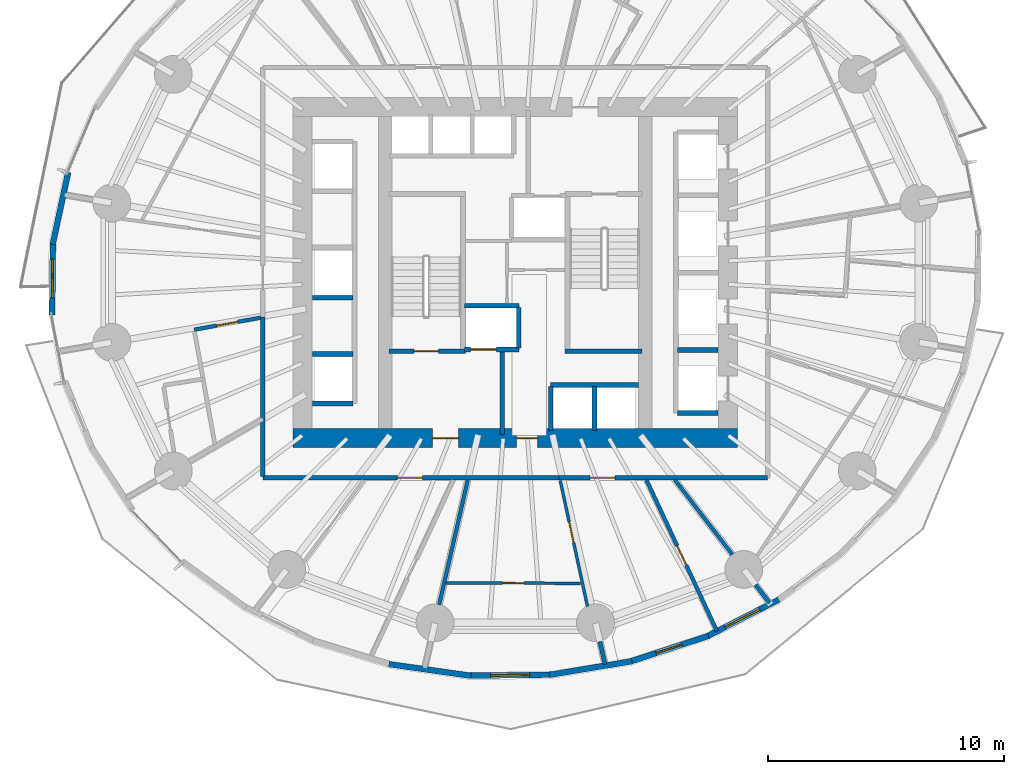
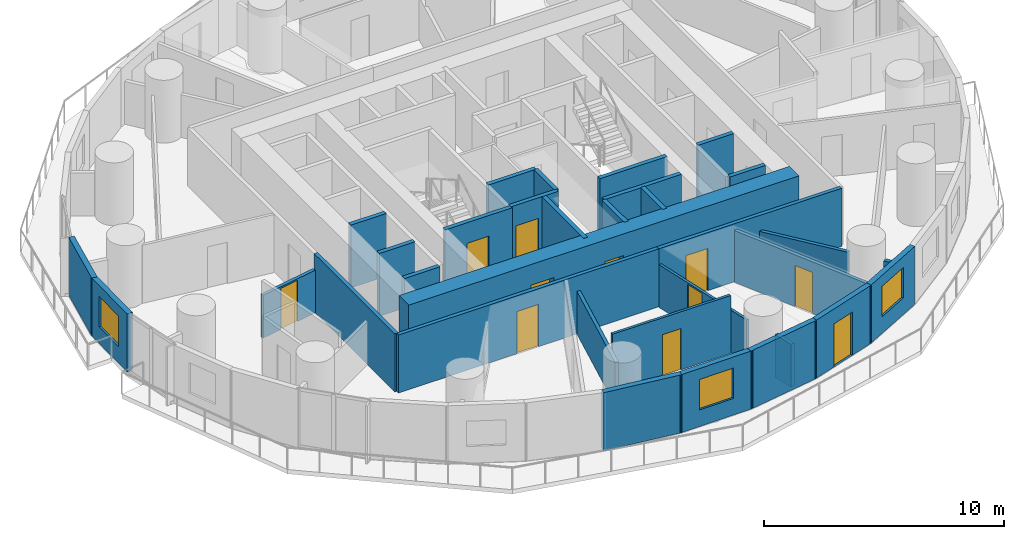
# One storey, part 7 of 14: 33 walls, 11 doors, 3 windows, 14 openings.
"""IFC4 building model written with IfcOpenShell, lengths in metres."""

from ifc_helpers import new_model, si_unit, direction, frame, frame_2d, origin, place, context, subcontext, project, spatial, rectangle, extrude, material, layer, layer_set, type_object, element, fill, save


model = new_model("IFC4")

# Units and contexts
model_context = context("Model", 3, precision=1e-05, world=origin(), true_north=direction((0.0, 1.0)))
body_context = subcontext(model_context, "Body", "Model", "MODEL_VIEW")
ifc_project = project(units=[si_unit("LENGTHUNIT", "METRE"), si_unit("AREAUNIT", "SQUARE_METRE"), si_unit("VOLUMEUNIT", "CUBIC_METRE"), si_unit("PLANEANGLEUNIT", "RADIAN"), si_unit("MASSUNIT", "GRAM", prefix="KILO")], contexts=[model_context])

# Site, building, storey
site_placement = place(None, origin())
site = spatial("IfcSite", under=ifc_project, at=site_placement, CompositionType="ELEMENT")
building_placement = place(site_placement, origin())
building = spatial("IfcBuilding", under=site, at=building_placement, Name="Veldorim Arch Residences", CompositionType="ELEMENT")
storey_placement = place(building_placement, frame((0.0, 0.0, 28.0)))
storey = spatial("IfcBuildingStorey", under=building, at=storey_placement, Name="L07", CompositionType="ELEMENT", Elevation=28.0)

# Wall, opening, door
ifc_material_1 = material(Name="Acoustic Gypsum Board", Category="gypsum")
ifc_layer_1 = layer(ifc_material_1, 0.125, Name="Acoustic Stud Room Partition Wall 125")
ifc_layer_set_1 = layer_set([ifc_layer_1], Name="Acoustic Gypsum Board")
wall_type_1 = type_object("IfcWallType", Name="Acoustic Stud Room Partition Wall 125", PredefinedType="PARTITIONING", material=ifc_layer_set_1)
wall_1_placement = place(storey_placement, frame((35.05419921875, 9.879150390625, 0.0), z_axis=(0.0, 0.0, 1.0), x_axis=(-0.211435796324, 0.977391888667, 0.0)))
wall_1 = element("IfcWall", 1, at=wall_1_placement, inside=storey, type_object=wall_type_1, Name="L07 interior wall WL-RES-L07-013", PredefinedType="PARTITIONING", context=body_context, shape_type="SweptSolid", body=[
    extrude(rectangle(XDim=5.446533203125, YDim=0.125, at=frame_2d((2.72314453125, 0.0))), origin(), (0.0, 0.0, 1.0), 2.17822265625),
])
opening_1_placement = place(wall_1_placement, frame((2.76171875, 0.0, 0.0)))
opening_1 = element("IfcOpeningElement", 2, at=opening_1_placement, cuts=wall_1, Name="Opening DR-INT", PredefinedType="OPENING", context=body_context, shape_type="SweptSolid", body=[
    extrude(rectangle(XDim=0.89990234375, YDim=2.10009765625, at=frame_2d((0.449951171875, 1.050048828125))), frame((0.0, 0.072509765625, 0.0), z_axis=(0.0, -1.0, 0.0), x_axis=(1.0, 0.0, 0.0)), (0.0, 0.0, 1.0), 0.14501953125),
])
ifc_material_2 = material(Name="Engineered Timber", Category="wood")
door_type_1 = type_object("IfcDoorType", Name="Apartment Internal Room Timber Door 900x2100", OperationType="SINGLE_SWING_LEFT", PredefinedType="DOOR", material=ifc_material_2)
door_1_placement = place(opening_1_placement, origin())
door_1 = element("IfcDoor", 3, at=door_1_placement, inside=storey, type_object=door_type_1, Name="L07 interior door DR-RES-L07-006", OperationType="SINGLE_SWING_RIGHT", OverallHeight=2.10009765625, OverallWidth=0.89990234375, PredefinedType="DOOR", context=body_context, shape_type="SweptSolid", body=[
    extrude(rectangle(XDim=0.89990234375, YDim=2.10009765625, at=frame_2d((0.449951171875, 1.050048828125))), frame((0.0, 0.02490234375, 0.0), z_axis=(0.0, -1.0, 0.0), x_axis=(1.0, 0.0, 0.0)), (0.0, 0.0, 1.0), 0.050048828125),
])
fill(opening_1, door_1)

wall_2_placement = place(storey_placement, frame((34.763427734375, 10.853515625, 0.0), z_axis=(0.0, 0.0, 1.0), x_axis=(-0.999989854874, 0.004504458806, 0.0)))
wall_2 = element("IfcWall", 4, at=wall_2_placement, inside=storey, type_object=wall_type_1, Name="L07 interior wall WL-RES-L07-015", PredefinedType="PARTITIONING", context=body_context, shape_type="SweptSolid", body=[
    extrude(rectangle(XDim=5.69091796875, YDim=0.125, at=frame_2d((2.845458984375, 0.0))), origin(), (0.0, 0.0, 1.0), 2.955078125),
])
opening_2_placement = place(wall_2_placement, frame((2.3955078125, 0.0, 0.0)))
opening_2 = element("IfcOpeningElement", 5, at=opening_2_placement, cuts=wall_2, Name="Opening DR-INT", PredefinedType="OPENING", context=body_context, shape_type="SweptSolid", body=[
    extrude(rectangle(XDim=0.89990234375, YDim=2.10009765625, at=frame_2d((0.449951171875, 1.050048828125))), frame((0.0, 0.072509765625, 0.0), z_axis=(0.0, -1.0, 0.0), x_axis=(1.0, 0.0, 0.0)), (0.0, 0.0, 1.0), 0.14501953125),
])
door_2_placement = place(opening_2_placement, origin())
door_2 = element("IfcDoor", 6, at=door_2_placement, inside=storey, type_object=door_type_1, Name="L07 interior door DR-RES-L07-007", OperationType="SINGLE_SWING_LEFT", OverallHeight=2.10009765625, OverallWidth=0.89990234375, PredefinedType="DOOR", context=body_context, shape_type="SweptSolid", body=[
    extrude(rectangle(XDim=0.89990234375, YDim=2.10009765625, at=frame_2d((0.449951171875, 1.050048828125))), frame((0.0, 0.02490234375, 0.0), z_axis=(0.0, -1.0, 0.0), x_axis=(1.0, 0.0, 0.0)), (0.0, 0.0, 1.0), 0.050048828125),
])
fill(opening_2, door_2)

# Walls
ifc_material_3 = material(Name="Lightweight Masonry Block & Gypsum", Category="masonry")
ifc_layer_2 = layer(ifc_material_3, 0.179931640625, Name="Compartment & Corridor Fire-Rated Party Wall 180")
ifc_layer_set_2 = layer_set([ifc_layer_2], Name="Lightweight Masonry Block & Gypsum")
wall_type_2 = type_object("IfcWallType", Name="Compartment & Corridor Fire-Rated Party Wall 180", PredefinedType="PARTITIONING", material=ifc_layer_set_2)
wall_3_placement = place(storey_placement, frame((35.577880859375, 8.390869140625, 0.0), z_axis=(0.0, 0.0, 1.0), x_axis=(0.223200215289, -0.974772621638, 0.0)))
element("IfcWall", 7, at=wall_3_placement, inside=storey, type_object=wall_type_2, Name="L07 interior wall WL-PIER-L07-13", PredefinedType="PARTITIONING", context=body_context, shape_type="SweptSolid", body=[
    extrude(rectangle(XDim=0.98876953125, YDim=0.179931640625, at=frame_2d((0.494384765625, 0.0))), origin(), (0.0, 0.0, 1.0), 2.17822265625),
])
wall_4_placement = place(storey_placement, frame((42.167236328125, 10.795166015625, 0.0), z_axis=(0.0, 0.0, 1.0), x_axis=(0.609953343804, -0.792437327732, 0.0)))
element("IfcWall", 8, at=wall_4_placement, inside=storey, type_object=wall_type_2, Name="L07 interior wall WL-PIER-L07-14", PredefinedType="PARTITIONING", context=body_context, shape_type="SweptSolid", body=[
    extrude(rectangle(XDim=0.97265625, YDim=0.179931640625, at=frame_2d((0.486328125, 0.0))), origin(), (0.0, 0.0, 1.0), 2.17822265625),
])

# Wall, opening, door
wall_5_placement = place(storey_placement, frame((33.897705078125, 15.320068359375, 0.0), z_axis=(0.0, 0.0, 1.0), x_axis=(-1.0, 0.0, 0.0)))
wall_5 = element("IfcWall", 9, at=wall_5_placement, inside=storey, type_object=wall_type_2, Name="L07 interior wall WL-RES-L07-001", PredefinedType="PARTITIONING", context=body_context, shape_type="SweptSolid", body=[
    extrude(rectangle(XDim=12.57763671875, YDim=0.179931640625, at=frame_2d((6.288818359375, 0.0))), origin(), (0.0, 0.0, 1.0), 2.955078125),
])
opening_3_placement = place(wall_5_placement, frame((5.83349609375, 0.0, 0.0)))
opening_3 = element("IfcOpeningElement", 10, at=opening_3_placement, cuts=wall_5, Name="Opening DR-FLT", PredefinedType="OPENING", context=body_context, shape_type="SweptSolid", body=[
    extrude(rectangle(XDim=1.050048828125, YDim=2.14990234375, at=frame_2d((0.52490234375, 1.074951171875))), frame((0.0, 0.099853515625, 0.0), z_axis=(0.0, -1.0, 0.0), x_axis=(1.0, 0.0, 0.0)), (0.0, 0.0, 1.0), 0.199951171875),
])
ifc_material_4 = material(Name="Fire-Rated Timber", Category="wood")
door_type_2 = type_object("IfcDoorType", Name="Apartment Entrance Solid-Core Fire Door 1050x2150", OperationType="SINGLE_SWING_LEFT", PredefinedType="DOOR", material=ifc_material_4)
door_3_placement = place(opening_3_placement, origin())
door_3 = element("IfcDoor", 11, at=door_3_placement, inside=storey, type_object=door_type_2, Name="L07 interior door DR-RES-L07-001", OperationType="SINGLE_SWING_LEFT", OverallHeight=2.14990234375, OverallWidth=1.050048828125, PredefinedType="DOOR", context=body_context, shape_type="SweptSolid", body=[
    extrude(rectangle(XDim=1.050048828125, YDim=2.14990234375, at=frame_2d((0.52490234375, 1.074951171875))), frame((0.0, 0.02490234375, 0.0), z_axis=(0.0, -1.0, 0.0), x_axis=(1.0, 0.0, 0.0)), (0.0, 0.0, 1.0), 0.050048828125),
])
fill(opening_3, door_3)

# Wall
wall_6_placement = place(storey_placement, frame((21.320068359375, 15.3798828125, 0.0), z_axis=(0.0, 0.0, 1.0), x_axis=(0.0, 1.0, 0.0)))
element("IfcWall", 12, at=wall_6_placement, inside=storey, type_object=wall_type_2, Name="L07 interior wall WL-RES-L07-002", PredefinedType="PARTITIONING", context=body_context, shape_type="SweptSolid", body=[
    extrude(rectangle(XDim=6.74853515625, YDim=0.179931640625, at=frame_2d((3.374267578125, 0.0))), origin(), (0.0, 0.0, 1.0), 2.955078125),
])

# Wall, opening, door
wall_7_placement = place(storey_placement, frame((42.679931640625, 15.320068359375, 0.0), z_axis=(0.0, 0.0, 1.0), x_axis=(-1.0, 0.0, 0.0)))
wall_7 = element("IfcWall", 13, at=wall_7_placement, inside=storey, type_object=wall_type_2, Name="L07 interior wall WL-RES-L07-003", PredefinedType="PARTITIONING", context=body_context, shape_type="SweptSolid", body=[
    extrude(rectangle(XDim=8.822509765625, YDim=0.179931640625, at=frame_2d((4.4111328125, 0.0))), origin(), (0.0, 0.0, 1.0), 2.955078125),
])
opening_4_placement = place(wall_7_placement, frame((6.461669921875, 0.0, 0.0)))
opening_4 = element("IfcOpeningElement", 14, at=opening_4_placement, cuts=wall_7, Name="Opening DR-FLT", PredefinedType="OPENING", context=body_context, shape_type="SweptSolid", body=[
    extrude(rectangle(XDim=1.050048828125, YDim=2.14990234375, at=frame_2d((0.52490234375, 1.074951171875))), frame((0.0, 0.099853515625, 0.0), z_axis=(0.0, -1.0, 0.0), x_axis=(1.0, 0.0, 0.0)), (0.0, 0.0, 1.0), 0.199951171875),
])
door_4_placement = place(opening_4_placement, origin())
door_4 = element("IfcDoor", 15, at=door_4_placement, inside=storey, type_object=door_type_2, Name="L07 interior door DR-RES-L07-004", OperationType="SINGLE_SWING_RIGHT", OverallHeight=2.14990234375, OverallWidth=1.050048828125, PredefinedType="DOOR", context=body_context, shape_type="SweptSolid", body=[
    extrude(rectangle(XDim=1.050048828125, YDim=2.14990234375, at=frame_2d((0.52490234375, 1.074951171875))), frame((0.0, 0.02490234375, 0.0), z_axis=(0.0, -1.0, 0.0), x_axis=(1.0, 0.0, 0.0)), (0.0, 0.0, 1.0), 0.050048828125),
])
fill(opening_4, door_4)

ifc_material_5 = material(Name="Concrete C50/60", Category="concrete")
ifc_layer_3 = layer(ifc_material_5, 0.199951171875, Name="Core Stair & Lift Shaft Enclosure Wall 200")
ifc_layer_set_3 = layer_set([ifc_layer_3], Name="Concrete C50/60")
wall_type_3 = type_object("IfcWallType", Name="Core Stair & Lift Shaft Enclosure Wall 200", PredefinedType="SHEAR", material=ifc_layer_set_3)
wall_8_placement = place(storey_placement, frame((26.64990234375, 20.669921875, 0.0), z_axis=(0.0, 0.0, 1.0), x_axis=(1.0, 0.0, 0.0)))
wall_8 = element("IfcWall", 16, at=wall_8_placement, inside=storey, type_object=wall_type_3, Name="L07 shaft wall WL-SHF-L07-ST1-S", PredefinedType="SHEAR", context=body_context, shape_type="SweptSolid", body=[
    extrude(rectangle(XDim=3.239990234375, YDim=0.199951171875, at=frame_2d((1.6201171875, 0.0))), origin(), (0.0, 0.0, 1.0), 3.199951171875),
])
opening_5_placement = place(wall_8_placement, frame((1.054931640625, 0.0, 0.0)))
opening_5 = element("IfcOpeningElement", 17, at=opening_5_placement, cuts=wall_8, Name="Opening DR-ST", PredefinedType="OPENING", context=body_context, shape_type="SweptSolid", body=[
    extrude(rectangle(XDim=1.050048828125, YDim=2.14990234375, at=frame_2d((0.52490234375, 1.074951171875))), frame((0.0, 0.10986328125, 0.0), z_axis=(0.0, -1.0, 0.0), x_axis=(1.0, 0.0, 0.0)), (0.0, 0.0, 1.0), 0.219970703125),
])
ifc_material_6 = material(Name="Fire-Rated Steel", Category="steel")
door_type_3 = type_object("IfcDoorType", Name="Exit Staircase Self-Closing Fire Door 1050x2150", OperationType="SINGLE_SWING_LEFT", PredefinedType="DOOR", material=ifc_material_6)
door_5_placement = place(opening_5_placement, origin())
door_5 = element("IfcDoor", 18, at=door_5_placement, inside=storey, type_object=door_type_3, Name="L07 interior door DR-L07-ST1", OperationType="SINGLE_SWING_LEFT", OverallHeight=2.14990234375, OverallWidth=1.050048828125, PredefinedType="DOOR", context=body_context, shape_type="SweptSolid", body=[
    extrude(rectangle(XDim=1.050048828125, YDim=2.14990234375, at=frame_2d((0.52490234375, 1.074951171875))), frame((0.0, 0.02490234375, 0.0), z_axis=(0.0, -1.0, 0.0), x_axis=(1.0, 0.0, 0.0)), (0.0, 0.0, 1.0), 0.050048828125),
])
fill(opening_5, door_5)

# Walls
wall_9_placement = place(storey_placement, frame((34.110107421875, 20.669921875, 0.0), z_axis=(0.0, 0.0, 1.0), x_axis=(1.0, 0.0, 0.0)))
element("IfcWall", 19, at=wall_9_placement, inside=storey, type_object=wall_type_3, Name="L07 shaft wall WL-SHF-L07-ST2-S", PredefinedType="SHEAR", context=body_context, shape_type="SweptSolid", body=[
    extrude(rectangle(XDim=3.239990234375, YDim=0.199951171875, at=frame_2d((1.6201171875, 0.0))), origin(), (0.0, 0.0, 1.0), 3.199951171875),
])
wall_10_placement = place(storey_placement, frame((31.449951171875, 17.14990234375, 0.0), z_axis=(0.0, 0.0, 1.0), x_axis=(0.0, 1.0, 0.0)))
element("IfcWall", 20, at=wall_10_placement, inside=storey, type_object=wall_type_3, Name="L07 shaft wall WL-FFL1-L07-E", PredefinedType="SHEAR", context=body_context, shape_type="SweptSolid", body=[
    extrude(rectangle(XDim=3.5, YDim=0.199951171875, at=frame_2d((1.75, 0.0))), origin(), (0.0, 0.0, 1.0), 3.199951171875),
])

# Wall, opening, door
wall_11_placement = place(storey_placement, frame((29.85009765625, 20.75, 0.0), z_axis=(0.0, 0.0, 1.0), x_axis=(1.0, 0.0, 0.0)))
wall_11 = element("IfcWall", 21, at=wall_11_placement, inside=storey, type_object=wall_type_3, Name="L07 shaft wall WL-FL01-L07-S", PredefinedType="SHEAR", context=body_context, shape_type="SweptSolid", body=[
    extrude(rectangle(XDim=2.2998046875, YDim=0.199951171875, at=frame_2d((1.14990234375, 0.0))), origin(), (0.0, 0.0, 1.0), 3.199951171875),
])
opening_6_placement = place(wall_11_placement, frame((0.25, 0.0, 0.0)))
opening_6 = element("IfcOpeningElement", 22, at=opening_6_placement, cuts=wall_11, Name="Opening LD-FF", PredefinedType="OPENING", context=body_context, shape_type="SweptSolid", body=[
    extrude(rectangle(XDim=1.10009765625, YDim=2.14990234375, at=frame_2d((0.550048828125, 1.074951171875))), frame((0.0, 0.10986328125, 0.0), z_axis=(0.0, -1.0, 0.0), x_axis=(1.0, 0.0, 0.0)), (0.0, 0.0, 1.0), 0.219970703125),
])
ifc_material_7 = material(Name="Stainless Steel", Category="steel")
door_type_4 = type_object("IfcDoorType", Name="Firefighting Lift Bi-Parting Sliding Landing Door 1100x2150", OperationType="DOUBLE_DOOR_SLIDING", PredefinedType="DOOR", material=ifc_material_7)
door_6_placement = place(opening_6_placement, origin())
door_6 = element("IfcDoor", 23, at=door_6_placement, inside=storey, type_object=door_type_4, Name="L07 lift landing door LD-L07-FL01", OperationType="DOUBLE_DOOR_SLIDING", OverallHeight=2.14990234375, OverallWidth=1.10009765625, PredefinedType="DOOR", context=body_context, shape_type="SweptSolid", body=[
    extrude(rectangle(XDim=1.10009765625, YDim=2.14990234375, at=frame_2d((0.550048828125, 1.074951171875))), frame((0.0, 0.02490234375, 0.0), z_axis=(0.0, -1.0, 0.0), x_axis=(1.0, 0.0, 0.0)), (0.0, 0.0, 1.0), 0.050048828125),
])
fill(opening_6, door_6)

# Walls
wall_12_placement = place(storey_placement, frame((29.85009765625, 22.60009765625, 0.0), z_axis=(0.0, 0.0, 1.0), x_axis=(1.0, 0.0, 0.0)))
element("IfcWall", 24, at=wall_12_placement, inside=storey, type_object=wall_type_3, Name="L07 shaft wall WL-FL01-L07-N", PredefinedType="SHEAR", context=body_context, shape_type="SweptSolid", body=[
    extrude(rectangle(XDim=2.2998046875, YDim=0.199951171875, at=frame_2d((1.14990234375, 0.0))), origin(), (0.0, 0.0, 1.0), 3.199951171875),
])
for number, where, z_axis, x_axis, name in (
    (25, (32.14990234375, 20.820068359375, 0.0), (0.0, 0.0, 1.0), (0.0, 1.0, 0.0), "L07 shaft wall WL-FL01-L07-E"),
    (26, (38.8701171875, 18.06005859375, 0.0), (0.0, 0.0, 1.0), (1.0, 0.0, 0.0), "L07 shaft wall WL-B1-L07-S"),
    (27, (38.8701171875, 20.72509765625, 0.0), (0.0, 0.0, 1.0), (1.0, 0.0, 0.0), "L07 shaft wall WL-B1-L07-D1"),
    (28, (23.419921875, 18.4599609375, 0.0), (0.0, 0.0, 1.0), (1.0, 0.0, 0.0), "L07 shaft wall WL-B2-L07-S"),
    (29, (23.419921875, 20.56005859375, 0.0), (0.0, 0.0, 1.0), (1.0, 0.0, 0.0), "L07 shaft wall WL-B2-L07-D1A"),
    (30, (23.419921875, 22.93994140625, 0.0), (0.0, 0.0, 1.0), (1.0, 0.0, 0.0), "L07 shaft wall WL-B2-L07-D1B"),
):
    element("IfcWall", number, at=place(storey_placement, frame(where, z_axis=z_axis, x_axis=x_axis)), inside=storey, type_object=wall_type_3, Name=name, PredefinedType="SHEAR", context=body_context, shape_type="SweptSolid", body=[
        extrude(rectangle(XDim=1.7099609375, YDim=0.199951171875, at=frame_2d((0.85498046875, 0.0))), origin(), (0.0, 0.0, 1.0), 3.199951171875),
    ])
wall_13_placement = place(storey_placement, frame((33.5, 19.25, 0.0), z_axis=(0.0, 0.0, 1.0), x_axis=(1.0, 0.0, 0.0)))
element("IfcWall", 31, at=wall_13_placement, inside=storey, type_object=wall_type_3, Name="L07 shaft wall WL-OL-L07-N", PredefinedType="SHEAR", context=body_context, shape_type="SweptSolid", body=[
    extrude(rectangle(XDim=3.719970703125, YDim=0.199951171875, at=frame_2d((1.85986328125, 0.0))), origin(), (0.0, 0.0, 1.0), 3.199951171875),
])
for number, where, z_axis, x_axis, name in (
    (32, (33.5, 17.320068359375, 0.0), (0.0, 0.0, 1.0), (0.0, 1.0, 0.0), "L07 shaft wall WL-OL-L07-W"),
    (33, (35.35009765625, 17.320068359375, 0.0), (0.0, 0.0, 1.0), (0.0, 1.0, 0.0), "L07 shaft wall WL-OL-L07-D1"),
):
    element("IfcWall", number, at=place(storey_placement, frame(where, z_axis=z_axis, x_axis=x_axis)), inside=storey, type_object=wall_type_3, Name=name, PredefinedType="SHEAR", context=body_context, shape_type="SweptSolid", body=[
        extrude(rectangle(XDim=1.85986328125, YDim=0.199951171875, at=frame_2d((0.929931640625, 0.0))), origin(), (0.0, 0.0, 1.0), 3.199951171875),
    ])

# Wall, openings, doors
ifc_material_8 = material(Name="Concrete C60/75", Category="concrete")
ifc_layer_4 = layer(ifc_material_8, 0.800048828125, Name="Lower Central Core Shear Wall 800")
ifc_layer_set_4 = layer_set([ifc_layer_4], Name="Concrete C60/75")
wall_type_4 = type_object("IfcWallType", Name="Lower Central Core Shear Wall 800", PredefinedType="SHEAR", material=ifc_layer_set_4)
wall_14_placement = place(storey_placement, frame((22.60009765625, 17.0, 0.0), z_axis=(0.0, 0.0, 1.0), x_axis=(1.0, 0.0, 0.0)))
wall_14 = element("IfcWall", 34, at=wall_14_placement, inside=storey, type_object=wall_type_4, Name="L07 central core south shear wall", PredefinedType="SHEAR", context=body_context, shape_type="SweptSolid", body=[
    extrude(rectangle(XDim=18.7998046875, YDim=0.800048828125, at=frame_2d((9.39990234375, 0.0))), origin(), (0.0, 0.0, 1.0), 3.199951171875),
])
opening_7_placement = place(wall_14_placement, frame((5.89990234375, 0.0, 0.0)))
opening_7 = element("IfcOpeningElement", 35, at=opening_7_placement, cuts=wall_14, Name="Opening DR-FFL", PredefinedType="OPENING", context=body_context, shape_type="SweptSolid", body=[
    extrude(rectangle(XDim=1.10009765625, YDim=2.14990234375, at=frame_2d((0.550048828125, 1.074951171875))), frame((0.0, 0.409912109375, 0.0), z_axis=(0.0, -1.0, 0.0), x_axis=(1.0, 0.0, 0.0)), (0.0, 0.0, 1.0), 0.820068359375),
])
opening_8_placement = place(wall_14_placement, frame((9.449951171875, 0.0, 0.0)))
opening_8 = element("IfcOpeningElement", 36, at=opening_8_placement, cuts=wall_14, Name="Opening DR-SVC", PredefinedType="OPENING", context=body_context, shape_type="SweptSolid", body=[
    extrude(rectangle(XDim=0.89990234375, YDim=2.10009765625, at=frame_2d((0.449951171875, 1.050048828125))), frame((0.0, 0.409912109375, 0.0), z_axis=(0.0, -1.0, 0.0), x_axis=(1.0, 0.0, 0.0)), (0.0, 0.0, 1.0), 0.820068359375),
])
ifc_material_9 = material(Name="Fire-Rated Steel & Vision Glass", Category="steel")
door_type_5 = type_object("IfcDoorType", Name="Firefighting Lobby Smoke-Stop Fire Door 1100x2150", OperationType="SINGLE_SWING_LEFT", PredefinedType="DOOR", material=ifc_material_9)
door_7_placement = place(opening_7_placement, origin())
door_7 = element("IfcDoor", 37, at=door_7_placement, inside=storey, type_object=door_type_5, Name="L07 interior door DR-L07-FFL1", OperationType="SINGLE_SWING_RIGHT", OverallHeight=2.14990234375, OverallWidth=1.10009765625, PredefinedType="DOOR", context=body_context, shape_type="SweptSolid", body=[
    extrude(rectangle(XDim=1.10009765625, YDim=2.14990234375, at=frame_2d((0.550048828125, 1.074951171875))), frame((0.0, 0.02490234375, 0.0), z_axis=(0.0, -1.0, 0.0), x_axis=(1.0, 0.0, 0.0)), (0.0, 0.0, 1.0), 0.050048828125),
])
fill(opening_7, door_7)
ifc_material_10 = material(Name="Fire-Rated Steel", Category="steel")
door_type_6 = type_object("IfcDoorType", Name="Riser, Shelter & Plant Room Rated Steel Door 900x2100", OperationType="SINGLE_SWING_LEFT", PredefinedType="DOOR", material=ifc_material_10)
door_8_placement = place(opening_8_placement, origin())
door_8 = element("IfcDoor", 38, at=door_8_placement, inside=storey, type_object=door_type_6, Name="L07 interior door DR-L07-COR-ANC", OperationType="SINGLE_SWING_LEFT", OverallHeight=2.10009765625, OverallWidth=0.89990234375, PredefinedType="DOOR", context=body_context, shape_type="SweptSolid", body=[
    extrude(rectangle(XDim=0.89990234375, YDim=2.10009765625, at=frame_2d((0.449951171875, 1.050048828125))), frame((0.0, 0.02490234375, 0.0), z_axis=(0.0, -1.0, 0.0), x_axis=(1.0, 0.0, 0.0)), (0.0, 0.0, 1.0), 0.050048828125),
])
fill(opening_8, door_8)

# Wall
ifc_material_11 = material(Name="Precast concrete C40/50", Category="concrete")
ifc_layer_5 = layer(ifc_material_11, 0.25, Name="Tower Terracotta Spandrel & Pier Wall 250")
ifc_layer_set_5 = layer_set([ifc_layer_5], Name="Precast concrete C40/50")
wall_type_5 = type_object("IfcWallType", Name="Tower Terracotta Spandrel & Pier Wall 250", PredefinedType="SOLIDWALL", material=ifc_layer_set_5)
wall_15_placement = place(storey_placement, frame((12.426513671875, 25.19189453125, 0.0), z_axis=(0.0, 0.0, 1.0), x_axis=(0.209668000253, 0.977772637002, 0.0)))
element("IfcWall", 39, at=wall_15_placement, inside=storey, type_object=wall_type_5, Name="L07 terracotta facade wall 17", PredefinedType="SOLIDWALL", context=body_context, shape_type="SweptSolid", body=[
    extrude(rectangle(XDim=3.12060546875, YDim=0.25, at=frame_2d((1.560302734375, 0.0))), origin(), (0.0, 0.0, 1.0), 2.9599609375),
])

# Wall, opening, window
wall_16_placement = place(storey_placement, frame((12.40087890625, 22.214111328125, 0.0), z_axis=(0.0, 0.0, 1.0), x_axis=(0.012397373015, 0.999923149618, 0.0)))
wall_16 = element("IfcWall", 40, at=wall_16_placement, inside=storey, type_object=wall_type_5, Name="L07 terracotta facade wall 18", PredefinedType="SOLIDWALL", context=body_context, shape_type="SweptSolid", body=[
    extrude(rectangle(XDim=3.091796875, YDim=0.25, at=frame_2d((1.5458984375, 0.0))), origin(), (0.0, 0.0, 1.0), 2.9599609375),
])
opening_9_placement = place(wall_16_placement, frame((0.720947265625, 0.0, 0.85009765625)))
opening_9 = element("IfcOpeningElement", 41, at=opening_9_placement, cuts=wall_16, Name="Opening WN-03", PredefinedType="OPENING", context=body_context, shape_type="SweptSolid", body=[
    extrude(rectangle(XDim=1.64990234375, YDim=1.550048828125, at=frame_2d((0.824951171875, 0.77490234375))), frame((0.0, 0.135009765625, 0.0), z_axis=(0.0, -1.0, 0.0), x_axis=(1.0, 0.0, 0.0)), (0.0, 0.0, 1.0), 0.27001953125),
])
ifc_material_12 = material(Name="Laminated Low-E Glass", Category="glass")
window_type = type_object("IfcWindowType", Name="Residential Wide Window 1650x1550", PartitioningType="SINGLE_PANEL", PredefinedType="WINDOW", material=ifc_material_12)
window_1_placement = place(opening_9_placement, origin())
window_1 = element("IfcWindow", 42, at=window_1_placement, inside=storey, type_object=window_type, Name="L07 solar-control facade window 18", OverallHeight=1.550048828125, OverallWidth=1.64990234375, PartitioningType="SINGLE_PANEL", PredefinedType="WINDOW", context=body_context, shape_type="SweptSolid", body=[
    extrude(rectangle(XDim=1.64990234375, YDim=1.550048828125, at=frame_2d((0.824951171875, 0.77490234375))), frame((0.0, 0.030029296875, 0.0), z_axis=(0.0, -1.0, 0.0), x_axis=(1.0, 0.0, 0.0)), (0.0, 0.0, 1.0), 0.06005859375),
])
fill(opening_9, window_1)

# Wall
wall_17_placement = place(storey_placement, frame((30.125244140625, 6.942138671875, 0.0), z_axis=(0.0, 0.0, 1.0), x_axis=(-0.990105954495, 0.140321769067, 0.0)))
element("IfcWall", 43, at=wall_17_placement, inside=storey, type_object=wall_type_5, Name="L07 terracotta facade wall 26", PredefinedType="SOLIDWALL", context=body_context, shape_type="SweptSolid", body=[
    extrude(rectangle(XDim=3.5126953125, YDim=0.25, at=frame_2d((1.75634765625, 0.0))), origin(), (0.0, 0.0, 1.0), 2.9599609375),
])

# Wall, opening, window
wall_18_placement = place(storey_placement, frame((33.554443359375, 6.991943359375, 0.0), z_axis=(0.0, 0.0, 1.0), x_axis=(-0.999927087517, -0.012075580727, 0.0)))
wall_18 = element("IfcWall", 44, at=wall_18_placement, inside=storey, type_object=wall_type_5, Name="L07 terracotta facade wall 27", PredefinedType="SOLIDWALL", context=body_context, shape_type="SweptSolid", body=[
    extrude(rectangle(XDim=3.5380859375, YDim=0.25, at=frame_2d((1.76904296875, 0.0))), origin(), (0.0, 0.0, 1.0), 2.9599609375),
])
opening_10_placement = place(wall_18_placement, frame((0.944091796875, 0.0, 0.85009765625)))
opening_10 = element("IfcOpeningElement", 45, at=opening_10_placement, cuts=wall_18, Name="Opening WN-03", PredefinedType="OPENING", context=body_context, shape_type="SweptSolid", body=[
    extrude(rectangle(XDim=1.64990234375, YDim=1.550048828125, at=frame_2d((0.824951171875, 0.77490234375))), frame((0.0, 0.135009765625, 0.0), z_axis=(0.0, -1.0, 0.0), x_axis=(1.0, 0.0, 0.0)), (0.0, 0.0, 1.0), 0.27001953125),
])
window_2_placement = place(opening_10_placement, origin())
window_2 = element("IfcWindow", 46, at=window_2_placement, inside=storey, type_object=window_type, Name="L07 solar-control facade window 27", OverallHeight=1.550048828125, OverallWidth=1.64990234375, PartitioningType="SINGLE_PANEL", PredefinedType="WINDOW", context=body_context, shape_type="SweptSolid", body=[
    extrude(rectangle(XDim=1.64990234375, YDim=1.550048828125, at=frame_2d((0.824951171875, 0.77490234375))), frame((0.0, 0.030029296875, 0.0), z_axis=(0.0, -1.0, 0.0), x_axis=(1.0, 0.0, 0.0)), (0.0, 0.0, 1.0), 0.06005859375),
])
fill(opening_10, window_2)

# Wall
wall_19_placement = place(storey_placement, frame((36.93701171875, 7.5595703125, 0.0), z_axis=(0.0, 0.0, 1.0), x_axis=(-0.986605703013, -0.16312322576, 0.0)))
element("IfcWall", 47, at=wall_19_placement, inside=storey, type_object=wall_type_5, Name="L07 terracotta facade wall 28", PredefinedType="SOLIDWALL", context=body_context, shape_type="SweptSolid", body=[
    extrude(rectangle(XDim=3.5380859375, YDim=0.25, at=frame_2d((1.76904296875, 0.0))), origin(), (0.0, 0.0, 1.0), 2.9599609375),
])

# Wall, opening, door
wall_20_placement = place(storey_placement, frame((40.16943359375, 8.62744140625, 0.0), z_axis=(0.0, 0.0, 1.0), x_axis=(-0.950290237418, -0.311365484066, 0.0)))
wall_20 = element("IfcWall", 48, at=wall_20_placement, inside=storey, type_object=wall_type_5, Name="L07 terracotta facade wall 29", PredefinedType="SOLIDWALL", context=body_context, shape_type="SweptSolid", body=[
    extrude(rectangle(XDim=3.5126953125, YDim=0.25, at=frame_2d((1.75634765625, 0.0))), origin(), (0.0, 0.0, 1.0), 2.9599609375),
])
opening_11_placement = place(wall_20_placement, frame((1.180908203125, 0.0, 0.0)))
opening_11 = element("IfcOpeningElement", 49, at=opening_11_placement, cuts=wall_20, Name="Opening BL-DR", PredefinedType="OPENING", context=body_context, shape_type="SweptSolid", body=[
    extrude(rectangle(XDim=1.14990234375, YDim=2.199951171875, at=frame_2d((0.574951171875, 1.10009765625))), frame((0.0, 0.135009765625, 0.0), z_axis=(0.0, -1.0, 0.0), x_axis=(1.0, 0.0, 0.0)), (0.0, 0.0, 1.0), 0.27001953125),
])
ifc_material_13 = material(Name="Aluminium & Low-E Glass", Category="aluminium")
door_type_7 = type_object("IfcDoorType", Name="Glazed Planted Balcony Door 1150x2200", OperationType="SINGLE_SWING_LEFT", PredefinedType="DOOR", material=ifc_material_13)
door_9_placement = place(opening_11_placement, origin())
door_9 = element("IfcDoor", 50, at=door_9_placement, inside=storey, type_object=door_type_7, Name="L07 glazed outdoor terrace door BALC-2", OperationType="SINGLE_SWING_LEFT", OverallHeight=2.199951171875, OverallWidth=1.14990234375, PredefinedType="DOOR", context=body_context, shape_type="SweptSolid", body=[
    extrude(rectangle(XDim=1.14990234375, YDim=2.199951171875, at=frame_2d((0.574951171875, 1.10009765625))), frame((0.0, 0.02490234375, 0.0), z_axis=(0.0, -1.0, 0.0), x_axis=(1.0, 0.0, 0.0)), (0.0, 0.0, 1.0), 0.050048828125),
])
fill(opening_11, door_9)

# Wall, opening, window
wall_21_placement = place(storey_placement, frame((43.1533203125, 10.16357421875, 0.0), z_axis=(0.0, 0.0, 1.0), x_axis=(-0.890260122421, -0.455452428281, 0.0)))
wall_21 = element("IfcWall", 51, at=wall_21_placement, inside=storey, type_object=wall_type_5, Name="L07 terracotta facade wall 30", PredefinedType="SOLIDWALL", context=body_context, shape_type="SweptSolid", body=[
    extrude(rectangle(XDim=3.46484375, YDim=0.25, at=frame_2d((1.732421875, 0.0))), origin(), (0.0, 0.0, 1.0), 2.9599609375),
])
opening_12_placement = place(wall_21_placement, frame((0.906982421875, 0.0, 0.85009765625)))
opening_12 = element("IfcOpeningElement", 52, at=opening_12_placement, cuts=wall_21, Name="Opening WN-03", PredefinedType="OPENING", context=body_context, shape_type="SweptSolid", body=[
    extrude(rectangle(XDim=1.64990234375, YDim=1.550048828125, at=frame_2d((0.824951171875, 0.77490234375))), frame((0.0, 0.135009765625, 0.0), z_axis=(0.0, -1.0, 0.0), x_axis=(1.0, 0.0, 0.0)), (0.0, 0.0, 1.0), 0.27001953125),
])
window_3_placement = place(opening_12_placement, origin())
window_3 = element("IfcWindow", 53, at=window_3_placement, inside=storey, type_object=window_type, Name="L07 solar-control facade window 30", OverallHeight=1.550048828125, OverallWidth=1.64990234375, PartitioningType="SINGLE_PANEL", PredefinedType="WINDOW", context=body_context, shape_type="SweptSolid", body=[
    extrude(rectangle(XDim=1.64990234375, YDim=1.550048828125, at=frame_2d((0.824951171875, 0.77490234375))), frame((0.0, 0.030029296875, 0.0), z_axis=(0.0, -1.0, 0.0), x_axis=(1.0, 0.0, 0.0)), (0.0, 0.0, 1.0), 0.06005859375),
])
fill(opening_12, window_3)

# Wall
ifc_material_14 = material(Name="Moisture-Resistant Gypsum & Stud", Category="gypsum")
ifc_layer_6 = layer(ifc_material_14, 0.159912109375, Name="Wet-Area Moisture-Resistant Plumbing Wall 160")
ifc_layer_set_6 = layer_set([ifc_layer_6], Name="Moisture-Resistant Gypsum & Stud")
wall_type_6 = type_object("IfcWallType", Name="Wet-Area Moisture-Resistant Plumbing Wall 160", PredefinedType="PLUMBINGWALL", material=ifc_layer_set_6)
wall_22_placement = place(storey_placement, frame((29.988037109375, 15.222412109375, 0.0), z_axis=(0.0, 0.0, 1.0), x_axis=(-0.223379728565, -0.974731499884, 0.0)))
element("IfcWall", 54, at=wall_22_placement, inside=storey, type_object=wall_type_6, Name="L07 interior wall WL-RES-L07-010", PredefinedType="PLUMBINGWALL", context=body_context, shape_type="SweptSolid", body=[
    extrude(rectangle(XDim=5.4111328125, YDim=0.159912109375, at=frame_2d((2.70556640625, 0.0))), origin(), (0.0, 0.0, 1.0), 2.17822265625),
])

# Wall, opening, door
wall_23_placement = place(storey_placement, frame((37.549560546875, 15.2294921875, 0.0), z_axis=(0.0, 0.0, 1.0), x_axis=(0.422745211231, -0.906248578692, 0.0)))
wall_23 = element("IfcWall", 55, at=wall_23_placement, inside=storey, type_object=wall_type_6, Name="L07 interior wall WL-RES-L07-012", PredefinedType="PLUMBINGWALL", context=body_context, shape_type="SweptSolid", body=[
    extrude(rectangle(XDim=7.052001953125, YDim=0.159912109375, at=frame_2d((3.52587890625, 0.0))), origin(), (0.0, 0.0, 1.0), 2.641357421875),
])
opening_13_placement = place(wall_23_placement, frame((3.075927734375, 0.0, 0.0)))
opening_13 = element("IfcOpeningElement", 56, at=opening_13_placement, cuts=wall_23, Name="Opening DR-WC", PredefinedType="OPENING", context=body_context, shape_type="SweptSolid", body=[
    extrude(rectangle(XDim=0.89990234375, YDim=2.10009765625, at=frame_2d((0.449951171875, 1.050048828125))), frame((0.0, 0.08984375, 0.0), z_axis=(0.0, -1.0, 0.0), x_axis=(1.0, 0.0, 0.0)), (0.0, 0.0, 1.0), 0.179931640625),
])
ifc_material_15 = material(Name="Laminate Timber", Category="wood")
door_type_8 = type_object("IfcDoorType", Name="Bathroom & Accessible WC Moisture-Sealed Door 900x2100", OperationType="SINGLE_SWING_LEFT", PredefinedType="DOOR", material=ifc_material_15)
door_10_placement = place(opening_13_placement, origin())
door_10 = element("IfcDoor", 57, at=door_10_placement, inside=storey, type_object=door_type_8, Name="L07 interior door DR-RES-L07-005", OperationType="SINGLE_SWING_LEFT", OverallHeight=2.10009765625, OverallWidth=0.89990234375, PredefinedType="DOOR", context=body_context, shape_type="SweptSolid", body=[
    extrude(rectangle(XDim=0.89990234375, YDim=2.10009765625, at=frame_2d((0.449951171875, 1.050048828125))), frame((0.0, 0.02490234375, 0.0), z_axis=(0.0, -1.0, 0.0), x_axis=(1.0, 0.0, 0.0)), (0.0, 0.0, 1.0), 0.050048828125),
])
fill(opening_13, door_10)

# Wall
wall_24_placement = place(storey_placement, frame((38.744140625, 15.24072265625, 0.0), z_axis=(0.0, 0.0, 1.0), x_axis=(0.610097434882, -0.792326397358, 0.0)))
element("IfcWall", 58, at=wall_24_placement, inside=storey, type_object=wall_type_6, Name="L07 interior wall WL-RES-L07-014", PredefinedType="PLUMBINGWALL", context=body_context, shape_type="SweptSolid", body=[
    extrude(rectangle(XDim=3.99658203125, YDim=0.159912109375, at=frame_2d((1.998291015625, 0.0))), origin(), (0.0, 0.0, 1.0), 2.17822265625),
])

# Wall, opening, door
wall_25_placement = place(storey_placement, frame((21.2216796875, 22.092529296875, 0.0), z_axis=(0.0, 0.0, 1.0), x_axis=(-0.984110100035, -0.177559316875, 0.0)))
wall_25 = element("IfcWall", 59, at=wall_25_placement, inside=storey, type_object=wall_type_6, Name="L07 interior wall WL-RES-L07-035", PredefinedType="PLUMBINGWALL", context=body_context, shape_type="SweptSolid", body=[
    extrude(rectangle(XDim=2.851806640625, YDim=0.159912109375, at=frame_2d((1.42578125, 0.0))), origin(), (0.0, 0.0, 1.0), 2.17822265625),
])
opening_14_placement = place(wall_25_placement, frame((0.975830078125, 0.0, 0.0)))
opening_14 = element("IfcOpeningElement", 60, at=opening_14_placement, cuts=wall_25, Name="Opening DR-INT", PredefinedType="OPENING", context=body_context, shape_type="SweptSolid", body=[
    extrude(rectangle(XDim=0.89990234375, YDim=2.10009765625, at=frame_2d((0.449951171875, 1.050048828125))), frame((0.0, 0.08984375, 0.0), z_axis=(0.0, -1.0, 0.0), x_axis=(1.0, 0.0, 0.0)), (0.0, 0.0, 1.0), 0.179931640625),
])
door_11_placement = place(opening_14_placement, origin())
door_11 = element("IfcDoor", 61, at=door_11_placement, inside=storey, type_object=door_type_1, Name="L07 interior door DR-RES-L07-026", OperationType="SINGLE_SWING_RIGHT", OverallHeight=2.10009765625, OverallWidth=0.89990234375, PredefinedType="DOOR", context=body_context, shape_type="SweptSolid", body=[
    extrude(rectangle(XDim=0.89990234375, YDim=2.10009765625, at=frame_2d((0.449951171875, 1.050048828125))), frame((0.0, 0.02490234375, 0.0), z_axis=(0.0, -1.0, 0.0), x_axis=(1.0, 0.0, 0.0)), (0.0, 0.0, 1.0), 0.050048828125),
])
fill(opening_14, door_11)

save(model, "model.ifc")
